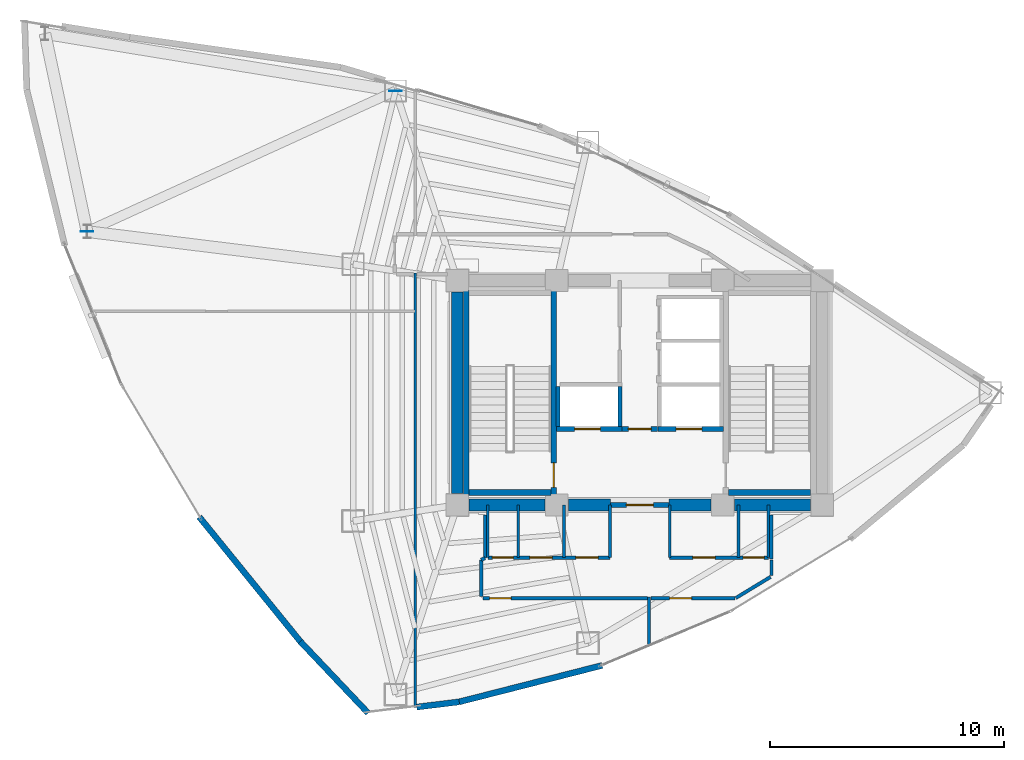
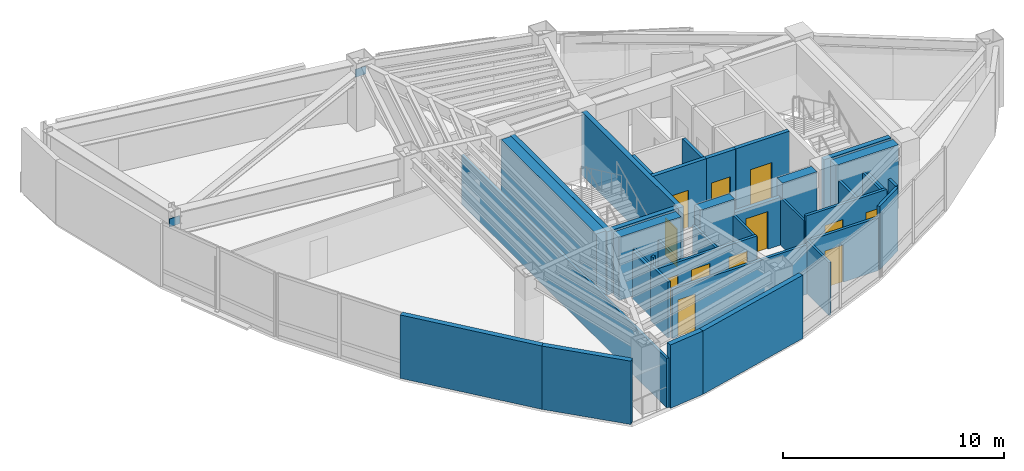
# One storey, part 12 of 16: 38 walls, 12 doors, 2 plates, 12 openings.
"""IFC4 building model written with IfcOpenShell, lengths in metres."""

import ifcopenshell
import ifcopenshell.guid

model = None  # the IFC model being written
_history = None  # IfcOwnerHistory: only IFC2X3 demands one
_inside = {}  # id of a spatial element -> (the spatial element, [elements in it])
_under = {}  # id of a project, library or spatial element -> (it, [spatial elements below it])
_declared = {}  # id of a project -> (the project, [libraries it declares])
_typed = {}  # id of a type object -> (the type object, [elements of that type])
_made_of = {}  # id of a material, layer set ... -> (it, [elements and type objects made of it])


def new_model(schema):
    """Start an empty IFC model of exactly this schema.

    Asked for "IFC4X3", IfcOpenShell would pick the latest addendum, in which some entities
    have other attributes; the version numbers below select the first issue.
    IFC2X3 requires an IfcOwnerHistory on every rooted entity: one is made here for all.
    """
    global model, _history
    if schema == "IFC4X3":
        model = ifcopenshell.file(schema_version=(4, 3, 0, 0))
    else:
        model = ifcopenshell.file(schema=schema)
    _inside.clear()
    _under.clear()
    _declared.clear()
    _typed.clear()
    _made_of.clear()
    _history = None
    if model.schema == "IFC2X3":
        org = make("IfcOrganization", Name="unknown")
        user = make(
            "IfcPersonAndOrganization",
            ThePerson=make("IfcPerson", FamilyName="unknown"),
            TheOrganization=org,
        )
        app = make(
            "IfcApplication",
            ApplicationDeveloper=org,
            Version="unknown",
            ApplicationFullName="unknown",
            ApplicationIdentifier="unknown",
        )
        _history = make(
            "IfcOwnerHistory",
            OwningUser=user,
            OwningApplication=app,
            ChangeAction="ADDED",
            CreationDate=0,
        )
    return model


def make(cls, **values):
    """One entity of the class cls with the attributes given. An attribute that is None is left unset."""
    return model.create_entity(
        cls, **{name: value for name, value in values.items() if value is not None}
    )


def rooted(cls, **values):
    """An entity with a GlobalId (a new one), such as an element, a storey or a relation."""
    return make(cls, GlobalId=ifcopenshell.guid.new(), OwnerHistory=_history, **values)


def si_unit(unit_type, name, prefix=None):
    """IfcSIUnit, for example si_unit("LENGTHUNIT", "METRE", prefix="MILLI")."""
    return make("IfcSIUnit", UnitType=unit_type, Prefix=prefix, Name=name)


def assignment(units):
    """IfcUnitAssignment: the units of a project."""
    return None if units is None else make("IfcUnitAssignment", Units=units)


def point(xyz):
    """IfcCartesianPoint."""
    return None if xyz is None else make("IfcCartesianPoint", Coordinates=xyz)


def direction(xyz):
    """IfcDirection."""
    return None if xyz is None else make("IfcDirection", DirectionRatios=xyz)


def frame(location, z_axis=None, x_axis=None):
    """IfcAxis2Placement3D, a coordinate frame: its origin and axes. An axis left out is left unset."""
    return make(
        "IfcAxis2Placement3D",
        Location=point(location),
        Axis=direction(z_axis),
        RefDirection=direction(x_axis),
    )


def frame_2d(location, x_axis=None):
    """IfcAxis2Placement2D, a coordinate frame in the plane: its origin and x axis."""
    return make(
        "IfcAxis2Placement2D", Location=point(location), RefDirection=direction(x_axis)
    )


def origin():
    """The frame at (0, 0, 0) with its axes left unset."""
    return frame((0.0, 0.0, 0.0))


def origin_2d():
    """The frame at (0, 0) in the plane with its x axis left unset."""
    return frame_2d((0.0, 0.0))


def place(relative_to, where):
    """IfcLocalPlacement: puts the frame where relative to a parent placement (None: the world)."""
    return make(
        "IfcLocalPlacement", PlacementRelTo=relative_to, RelativePlacement=where
    )


def context(
    kind, dimensions, precision=None, world=None, true_north=None, identifier=None
):
    """IfcGeometricRepresentationContext, for example the 3D "Model" context."""
    return make(
        "IfcGeometricRepresentationContext",
        ContextIdentifier=identifier,
        ContextType=kind,
        CoordinateSpaceDimension=dimensions,
        Precision=precision,
        WorldCoordinateSystem=world,
        TrueNorth=true_north,
    )


def subcontext(parent, identifier, kind, view, scale=None):
    """IfcGeometricRepresentationSubContext, for example "Body" below "Model"."""
    return make(
        "IfcGeometricRepresentationSubContext",
        ContextIdentifier=identifier,
        ContextType=kind,
        ParentContext=parent,
        TargetScale=scale,
        TargetView=view,
    )


def project(units=None, contexts=None):
    """IfcProject with its units and contexts."""
    return rooted(
        "IfcProject",
        Name="project",
        RepresentationContexts=contexts,
        UnitsInContext=assignment(units),
    )


def spatial(cls, under=None, at=None, **own):
    """A site, building, storey or space (cls), placed at a placement, below another one or the project."""
    s = rooted(cls, ObjectPlacement=at, **own)
    if under is not None:
        _under.setdefault(under.id(), (under, []))[1].append(s)
    return s


def profile(cls, at=None, kind="AREA", **sizes):
    """A parametric profile (cls). Its sizes go by their IFC names, for example OverallWidth=200.0."""
    return make(cls, ProfileType=kind, Position=at, **sizes)


def rectangle(**sizes):
    """IfcRectangleProfileDef."""
    return profile("IfcRectangleProfileDef", **sizes)


def extrude(swept, where, along, depth):
    """IfcExtrudedAreaSolid: the profile swept, set in the frame where, extruded along a direction by depth."""
    return make(
        "IfcExtrudedAreaSolid",
        SweptArea=swept,
        Position=where,
        ExtrudedDirection=direction(along),
        Depth=depth,
    )


def shape(context_of_items, identifier, shape_type, items):
    """IfcShapeRepresentation: the items that make up one representation, for example the "Body"."""
    return make(
        "IfcShapeRepresentation",
        ContextOfItems=context_of_items,
        RepresentationIdentifier=identifier,
        RepresentationType=shape_type,
        Items=items,
    )


def material(Name=None, Category=None):
    """IfcMaterial."""
    return make("IfcMaterial", Name=Name, Category=Category)


def layer(
    of_material, thickness, ventilated=None, Name=None, Category=None, Priority=None
):
    """IfcMaterialLayer: one layer of a wall or slab, of a material (None: an air gap)."""
    return make(
        "IfcMaterialLayer",
        Material=of_material,
        LayerThickness=thickness,
        IsVentilated=ventilated,
        Name=Name,
        Category=Category,
        Priority=Priority,
    )


def layer_set(layers, Name=None):
    """IfcMaterialLayerSet."""
    return make("IfcMaterialLayerSet", MaterialLayers=layers, LayerSetName=Name)


def made_of(thing, what):
    """Note that an element or type object is made of a material, layer set ...; save() writes the relation."""
    if what is not None:
        _made_of.setdefault(what.id(), (what, []))[1].append(thing)
    return thing


def type_object(cls, material=None, **own):
    """A type object (cls), such as IfcWallType, which elements share."""
    return made_of(rooted(cls, **own), material)


def element(
    cls,
    number,
    at=None,
    inside=None,
    cuts=None,
    type_object=None,
    material=None,
    context=None,
    identifier="Body",
    shape_type=None,
    held_by="IfcProductDefinitionShape",
    body=None,
    shapes=None,
    **own,
):
    """One element of the class cls, such as IfcWall. Its Tag is "e" and its number.

    at: its placement. inside: the storey or other place that contains it. cuts: it is an
    opening in that element (IfcRelVoidsElement). A single representation is given by context,
    identifier, shape_type and body (its items); several are given by shapes. held_by: the class
    of the entity that holds the representations. save() writes the other relations.
    """
    e = rooted(cls, Tag="e%d" % number, ObjectPlacement=at, **own)
    if body is not None:
        shapes = [shape(context, identifier, shape_type, body)]
    if shapes is not None:
        e.Representation = make(held_by, Representations=shapes)
    if inside is not None:
        _inside.setdefault(inside.id(), (inside, []))[1].append(e)
    if cuts is not None:
        rooted(
            "IfcRelVoidsElement", RelatingBuildingElement=cuts, RelatedOpeningElement=e
        )
    if type_object is not None:
        _typed.setdefault(type_object.id(), (type_object, []))[1].append(e)
    return made_of(e, material)


def fill(opening, filler):
    """IfcRelFillsElement: the door or window that sits in an opening."""
    return rooted(
        "IfcRelFillsElement",
        RelatingOpeningElement=opening,
        RelatedBuildingElement=filler,
    )


def aggregate(whole, parts):
    """IfcRelAggregates: a whole, such as a stair, and the parts it consists of."""
    return rooted("IfcRelAggregates", RelatingObject=whole, RelatedObjects=parts)


def save(model, path):
    """Write the relations noted so far, then the file.

    IfcRelAggregates (storeys below a building ...), IfcRelContainedInSpatialStructure (elements
    in a storey), IfcRelDefinesByType, IfcRelAssociatesMaterial and IfcRelDeclares: one each for
    every whole, place, type object, material and project.
    """
    for whole, parts in _under.values():
        aggregate(whole, parts)
    for where, things in _inside.values():
        rooted(
            "IfcRelContainedInSpatialStructure",
            RelatedElements=things,
            RelatingStructure=where,
        )
    for kind, things in _typed.values():
        rooted("IfcRelDefinesByType", RelatedObjects=things, RelatingType=kind)
    for what, things in _made_of.values():
        rooted("IfcRelAssociatesMaterial", RelatedObjects=things, RelatingMaterial=what)
    for by, libraries in _declared.values():
        rooted("IfcRelDeclares", RelatingContext=by, RelatedDefinitions=libraries)
    model.write(path)


model = new_model("IFC4")

# Units and contexts
model_context = context("Model", 3, precision=1e-05, world=origin(), true_north=direction((0.0, 1.0)))
body_context = subcontext(model_context, "Body", "Model", "MODEL_VIEW")
ifc_project = project(units=[si_unit("LENGTHUNIT", "METRE"), si_unit("AREAUNIT", "SQUARE_METRE"), si_unit("VOLUMEUNIT", "CUBIC_METRE"), si_unit("PLANEANGLEUNIT", "RADIAN"), si_unit("MASSUNIT", "GRAM", prefix="KILO")], contexts=[model_context])

# Site, building, storey
site_placement = place(None, origin())
site = spatial("IfcSite", under=ifc_project, at=site_placement, CompositionType="ELEMENT")
building_placement = place(site_placement, origin())
building = spatial("IfcBuilding", under=site, at=building_placement, Name="Menara Vayukalpa", CompositionType="ELEMENT")
storey_placement = place(building_placement, frame((0.0, 0.0, 198.9599609375)))
storey = spatial("IfcBuildingStorey", under=building, at=storey_placement, Name="L50", CompositionType="ELEMENT", Elevation=198.9599609375)

# Plates
ifc_material_1 = material(Name="Steel S355", Category="steel")
ifc_layer_1 = layer(ifc_material_1, 0.028076171875)
ifc_layer_set_1 = layer_set([ifc_layer_1], Name="Steel S355")
plate_type = type_object("IfcPlateType", Name="PLT-END1", PredefinedType="USERDEFINED", material=ifc_layer_set_1)
for number, where, z_axis, x_axis, name in (
    (1, (15.15478515625, 34.902587890625, 2.655029296875), (0.0, 0.0, 1.0), (1.0, 0.0, 0.0), "L50 Structural Brace End Gusset Plate 068"),
    (2, (1.96630859375, 28.889404296875, 2.655029296875), (0.0, 0.0, 1.0), (1.0, 0.0, 0.0), "L50 Structural Brace End Gusset Plate 069"),
):
    element("IfcPlate", number, at=place(storey_placement, frame(where, z_axis=z_axis, x_axis=x_axis)), inside=storey, type_object=plate_type, Name=name, ObjectType="GUSSET_PLATE", PredefinedType="USERDEFINED", context=body_context, shape_type="SweptSolid", body=[
        extrude(rectangle(XDim=0.5400390625, YDim=0.028076171875, at=origin_2d()), origin(), (0.0, 0.0, 1.0), 0.43994140625),
    ])

# Walls
ifc_material_2 = material(Name="Concrete C60/75", Category="concrete")
ifc_layer_2 = layer(ifc_material_2, 0.5)
ifc_layer_set_2 = layer_set([ifc_layer_2], Name="Concrete C60/75")
wall_type_1 = type_object("IfcWallType", Name="WAL-CW500", PredefinedType="SHEAR", material=ifc_layer_set_2)
wall_1_placement = place(storey_placement, frame((18.294921875, 17.199951171875, 0.0), z_axis=(0.0, 0.0, 1.0), x_axis=(1.0, 0.0, 0.0)))
element("IfcWall", 3, at=wall_1_placement, inside=storey, type_object=wall_type_1, Name="L50 Buttressed Core Shear Wall CWS1", PredefinedType="SHEAR", context=body_context, shape_type="SweptSolid", body=[
    extrude(rectangle(XDim=3.260009765625, YDim=0.5, at=frame_2d((1.6298828125, 0.0))), origin(), (0.0, 0.0, 1.0), 3.5),
])
wall_2_placement = place(storey_placement, frame((22.544921875, 17.199951171875, 0.0), z_axis=(0.0, 0.0, 1.0), x_axis=(1.0, 0.0, 0.0)))
element("IfcWall", 4, at=wall_2_placement, inside=storey, type_object=wall_type_1, Name="L50 Buttressed Core Shear Wall CWS2", PredefinedType="SHEAR", context=body_context, shape_type="SweptSolid", body=[
    extrude(rectangle(XDim=1.80517578125, YDim=0.5, at=frame_2d((0.902587890625, 0.0))), origin(), (0.0, 0.0, 1.0), 3.5),
])
wall_3_placement = place(storey_placement, frame((26.85009765625, 17.199951171875, 0.0), z_axis=(0.0, 0.0, 1.0), x_axis=(1.0, 0.0, 0.0)))
element("IfcWall", 5, at=wall_3_placement, inside=storey, type_object=wall_type_1, Name="L50 Buttressed Core Shear Wall CWS3", PredefinedType="SHEAR", context=body_context, shape_type="SweptSolid", body=[
    extrude(rectangle(XDim=1.804931640625, YDim=0.5, at=frame_2d((0.90234375, 0.0))), origin(), (0.0, 0.0, 1.0), 3.5),
])
wall_4_placement = place(storey_placement, frame((29.64501953125, 17.199951171875, 0.0), z_axis=(0.0, 0.0, 1.0), x_axis=(1.0, 0.0, 0.0)))
element("IfcWall", 6, at=wall_4_placement, inside=storey, type_object=wall_type_1, Name="L50 Buttressed Core Shear Wall CWS4", PredefinedType="SHEAR", context=body_context, shape_type="SweptSolid", body=[
    extrude(rectangle(XDim=3.260009765625, YDim=0.5, at=frame_2d((1.6298828125, 0.0))), origin(), (0.0, 0.0, 1.0), 3.5),
])
wall_5_placement = place(storey_placement, frame((17.800048828125, 17.695068359375, 0.0), z_axis=(0.0, 0.0, 1.0), x_axis=(0.0, 1.0, 0.0)))
element("IfcWall", 7, at=wall_5_placement, inside=storey, type_object=wall_type_1, Name="L50 Buttressed Core Shear Wall CWW1", PredefinedType="SHEAR", context=body_context, shape_type="SweptSolid", body=[
    extrude(rectangle(XDim=8.60986328125, YDim=0.5, at=frame_2d((4.304931640625, 0.0))), origin(), (0.0, 0.0, 1.0), 3.5),
])
ifc_material_3 = material(Name="Insulated Precast Concrete C40/50", Category="concrete")
ifc_layer_3 = layer(ifc_material_3, 0.260009765625)
ifc_layer_set_3 = layer_set([ifc_layer_3], Name="Insulated Precast Concrete C40/50")
wall_type_2 = type_object("IfcWallType", Name="WAL-EXT260", PredefinedType="PARTITIONING", material=ifc_layer_set_3)
wall_6_placement = place(storey_placement, frame((11.09228515625, 11.352783203125, 0.0), z_axis=(0.0, 0.0, 1.0), x_axis=(-0.630146833264, 0.77647599353, 0.0)))
element("IfcWall", 8, at=wall_6_placement, inside=storey, type_object=wall_type_2, Name="L50 Perimeter Terracotta Pier Wall 15", PredefinedType="PARTITIONING", context=body_context, shape_type="SweptSolid", body=[
    extrude(rectangle(XDim=6.8671875, YDim=0.260009765625, at=frame_2d((3.43359375, 0.0))), origin(), (0.0, 0.0, 1.0), 3.5),
])
wall_7_placement = place(storey_placement, frame((13.982177734375, 8.302978515625, 0.0), z_axis=(0.0, 0.0, 1.0), x_axis=(-0.687757504743, 0.725940503533, 0.0)))
element("IfcWall", 9, at=wall_7_placement, inside=storey, type_object=wall_type_2, Name="L50 Perimeter Terracotta Pier Wall 16", PredefinedType="PARTITIONING", context=body_context, shape_type="SweptSolid", body=[
    extrude(rectangle(XDim=4.213623046875, YDim=0.260009765625, at=frame_2d((2.10693359375, 0.0))), origin(), (0.0, 0.0, 1.0), 3.5),
])
wall_8_placement = place(storey_placement, frame((17.881591796875, 8.779296875, 0.0), z_axis=(0.0, 0.0, 1.0), x_axis=(-0.992628301661, -0.121198410642, 0.0)))
element("IfcWall", 10, at=wall_8_placement, inside=storey, type_object=wall_type_2, Name="L50 Perimeter Terracotta Pier Wall 17", PredefinedType="PARTITIONING", context=body_context, shape_type="SweptSolid", body=[
    extrude(rectangle(XDim=1.8330078125, YDim=0.260009765625, at=frame_2d((0.91650390625, 0.0))), origin(), (0.0, 0.0, 1.0), 3.5),
])
wall_9_placement = place(storey_placement, frame((23.9951171875, 10.338623046875, 0.0), z_axis=(0.0, 0.0, 1.0), x_axis=(-0.968977477196, -0.247149041446, 0.0)))
element("IfcWall", 11, at=wall_9_placement, inside=storey, type_object=wall_type_2, Name="L50 Perimeter Terracotta Pier Wall 18", PredefinedType="PARTITIONING", context=body_context, shape_type="SweptSolid", body=[
    extrude(rectangle(XDim=6.309326171875, YDim=0.260009765625, at=frame_2d((3.15478515625, 0.0))), origin(), (0.0, 0.0, 1.0), 3.5),
])
ifc_material_4 = material(Name="Lightweight Concrete Blockwork C16/20", Category="masonry")
ifc_layer_4 = layer(ifc_material_4, 0.159912109375)
ifc_layer_set_4 = layer_set([ifc_layer_4], Name="Lightweight Concrete Blockwork C16/20")
wall_type_3 = type_object("IfcWallType", Name="WAL-FR150", PredefinedType="PARTITIONING", material=ifc_layer_set_4)
for number, where, z_axis, x_axis, name in (
    (12, (22.10498046875, 20.56005859375, 0.0), (0.0, 0.0, 1.0), (0.0, 1.0, 0.0), "L50 Interior Partition IW-L50-SHW-WW"),
    (13, (24.7548828125, 20.56005859375, 0.0), (0.0, 0.0, 1.0), (0.0, 1.0, 0.0), "L50 Interior Partition IW-L50-SHW-W1E"),
):
    element("IfcWall", number, at=place(storey_placement, frame(where, z_axis=z_axis, x_axis=x_axis)), inside=storey, type_object=wall_type_3, Name=name, PredefinedType="PARTITIONING", context=body_context, shape_type="SweptSolid", body=[
        extrude(rectangle(XDim=1.7099609375, YDim=0.159912109375, at=frame_2d((0.85498046875, 0.0))), origin(), (0.0, 0.0, 1.0), 3.5),
    ])

# Wall, opening, door
ifc_material_5 = material(Name="Lightweight Concrete Blockwork C16/20", Category="masonry")
ifc_layer_5 = layer(ifc_material_5, 0.199951171875)
ifc_layer_set_5 = layer_set([ifc_layer_5], Name="Lightweight Concrete Blockwork C16/20")
wall_type_4 = type_object("IfcWallType", Name="WAL-FR200", PredefinedType="PARTITIONING", material=ifc_layer_set_5)
wall_10_placement = place(storey_placement, frame((24.35009765625, 17.199951171875, 0.0), z_axis=(0.0, 0.0, 1.0), x_axis=(1.0, 0.0, 0.0)))
wall_10 = element("IfcWall", 14, at=wall_10_placement, inside=storey, type_object=wall_type_4, Name="L50 Interior Partition IW-L50-FFLS", PredefinedType="PARTITIONING", context=body_context, shape_type="SweptSolid", body=[
    extrude(rectangle(XDim=2.5, YDim=0.199951171875, at=frame_2d((1.25, 0.0))), origin(), (0.0, 0.0, 1.0), 2.630126953125),
])
opening_1_placement = place(wall_10_placement, frame((0.679931640625, 0.0, 0.0)))
opening_1 = element("IfcOpeningElement", 15, at=opening_1_placement, cuts=wall_10, Name="Opening ID2", PredefinedType="OPENING", context=body_context, shape_type="SweptSolid", body=[
    extrude(rectangle(XDim=1.14990234375, YDim=2.080078125, at=frame_2d((0.574951171875, 1.0400390625))), frame((0.0, 0.10986328125, 0.0), z_axis=(0.0, -1.0, 0.0), x_axis=(1.0, 0.0, 0.0)), (0.0, 0.0, 1.0), 0.219970703125),
])
ifc_material_6 = material(Name="Fire-Rated Powder-Coated Steel Door", Category="steel")
door_type_1 = type_object("IfcDoorType", Name="DR-FD60W", OperationType="NOTDEFINED", PredefinedType="DOOR", material=ifc_material_6)
door_1_placement = place(opening_1_placement, origin())
door_1 = element("IfcDoor", 16, at=door_1_placement, inside=storey, type_object=door_type_1, Name="L50 Interior Door DR-L50-FFLS", OperationType="SINGLE_SWING_LEFT", OverallHeight=2.080078125, OverallWidth=1.14990234375, PredefinedType="DOOR", context=body_context, shape_type="SweptSolid", body=[
    extrude(rectangle(XDim=1.14990234375, YDim=2.080078125, at=frame_2d((0.574951171875, 1.0400390625))), frame((0.0, 0.02490234375, 0.0), z_axis=(0.0, -1.0, 0.0), x_axis=(1.0, 0.0, 0.0)), (0.0, 0.0, 1.0), 0.050048828125),
])
fill(opening_1, door_1)

wall_11_placement = place(storey_placement, frame((24.840087890625, 20.449951171875, 0.0), z_axis=(0.0, 0.0, 1.0), x_axis=(1.0, 0.0, 0.0)))
wall_11 = element("IfcWall", 17, at=wall_11_placement, inside=storey, type_object=wall_type_4, Name="L50 Interior Partition IW-L50-FFLN", PredefinedType="PARTITIONING", context=body_context, shape_type="SweptSolid", body=[
    extrude(rectangle(XDim=1.52001953125, YDim=0.199951171875, at=frame_2d((0.760009765625, 0.0))), origin(), (0.0, 0.0, 1.0), 3.5),
])
opening_2_placement = place(wall_11_placement, frame((0.27001953125, 0.0, 0.0)))
opening_2 = element("IfcOpeningElement", 18, at=opening_2_placement, cuts=wall_11, Name="Opening ID3", PredefinedType="OPENING", context=body_context, shape_type="SweptSolid", body=[
    extrude(rectangle(XDim=0.97998046875, YDim=2.06005859375, at=frame_2d((0.489990234375, 1.030029296875))), frame((0.0, 0.10986328125, 0.0), z_axis=(0.0, -1.0, 0.0), x_axis=(1.0, 0.0, 0.0)), (0.0, 0.0, 1.0), 0.219970703125),
])
ifc_material_7 = material(Name="Fire-Rated Powder-Coated Steel Door", Category="steel")
door_type_2 = type_object("IfcDoorType", Name="DR-FD60", OperationType="NOTDEFINED", PredefinedType="DOOR", material=ifc_material_7)
door_2_placement = place(opening_2_placement, origin())
door_2 = element("IfcDoor", 19, at=door_2_placement, inside=storey, type_object=door_type_2, Name="L50 Interior Door DR-L50-FFLN", OperationType="SINGLE_SWING_RIGHT", OverallHeight=2.06005859375, OverallWidth=0.97998046875, PredefinedType="DOOR", context=body_context, shape_type="SweptSolid", body=[
    extrude(rectangle(XDim=0.97998046875, YDim=2.06005859375, at=frame_2d((0.489990234375, 1.030029296875))), frame((0.0, 0.02490234375, 0.0), z_axis=(0.0, -1.0, 0.0), x_axis=(1.0, 0.0, 0.0)), (0.0, 0.0, 1.0), 0.050048828125),
])
fill(opening_2, door_2)

wall_12_placement = place(storey_placement, frame((22.030029296875, 20.449951171875, 0.0), z_axis=(0.0, 0.0, 1.0), x_axis=(1.0, 0.0, 0.0)))
wall_12 = element("IfcWall", 20, at=wall_12_placement, inside=storey, type_object=wall_type_4, Name="L50 Interior Partition IW-L50-SH-W1", PredefinedType="PARTITIONING", context=body_context, shape_type="SweptSolid", body=[
    extrude(rectangle(XDim=2.800048828125, YDim=0.199951171875, at=frame_2d((1.39990234375, 0.0))), origin(), (0.0, 0.0, 1.0), 3.5),
])
opening_3_placement = place(wall_12_placement, frame((0.780029296875, 0.0, 0.0)))
opening_3 = element("IfcOpeningElement", 21, at=opening_3_placement, cuts=wall_12, Name="Opening LD1", PredefinedType="OPENING", context=body_context, shape_type="SweptSolid", body=[
    extrude(rectangle(XDim=1.10009765625, YDim=2.080078125, at=frame_2d((0.550048828125, 1.0400390625))), frame((0.0, 0.10986328125, 0.0), z_axis=(0.0, -1.0, 0.0), x_axis=(1.0, 0.0, 0.0)), (0.0, 0.0, 1.0), 0.219970703125),
])
ifc_material_8 = material(Name="Brushed Stainless Steel 316 Lift Door", Category="steel")
door_type_3 = type_object("IfcDoorType", Name="DR-LD110", OperationType="NOTDEFINED", PredefinedType="DOOR", material=ifc_material_8)
door_3_placement = place(opening_3_placement, origin())
door_3 = element("IfcDoor", 22, at=door_3_placement, inside=storey, type_object=door_type_3, Name="L50 Interior Door DR-L50-LD-W1", OperationType="DOUBLE_DOOR_SLIDING", OverallHeight=2.080078125, OverallWidth=1.10009765625, PredefinedType="DOOR", context=body_context, shape_type="SweptSolid", body=[
    extrude(rectangle(XDim=1.10009765625, YDim=2.080078125, at=frame_2d((0.550048828125, 1.0400390625))), frame((0.0, 0.02490234375, 0.0), z_axis=(0.0, -1.0, 0.0), x_axis=(1.0, 0.0, 0.0)), (0.0, 0.0, 1.0), 0.050048828125),
])
fill(opening_3, door_3)

wall_13_placement = place(storey_placement, frame((26.3701171875, 20.449951171875, 0.0), z_axis=(0.0, 0.0, 1.0), x_axis=(1.0, 0.0, 0.0)))
wall_13 = element("IfcWall", 23, at=wall_13_placement, inside=storey, type_object=wall_type_4, Name="L50 Interior Partition IW-L50-SH-E1", PredefinedType="PARTITIONING", context=body_context, shape_type="SweptSolid", body=[
    extrude(rectangle(XDim=2.7998046875, YDim=0.199951171875, at=frame_2d((1.39990234375, 0.0))), origin(), (0.0, 0.0, 1.0), 3.5),
])
opening_4_placement = place(wall_13_placement, frame((0.780029296875, 0.0, 0.0)))
opening_4 = element("IfcOpeningElement", 24, at=opening_4_placement, cuts=wall_13, Name="Opening LD1", PredefinedType="OPENING", context=body_context, shape_type="SweptSolid", body=[
    extrude(rectangle(XDim=1.10009765625, YDim=2.080078125, at=frame_2d((0.550048828125, 1.0400390625))), frame((0.0, 0.10986328125, 0.0), z_axis=(0.0, -1.0, 0.0), x_axis=(1.0, 0.0, 0.0)), (0.0, 0.0, 1.0), 0.219970703125),
])
door_4_placement = place(opening_4_placement, origin())
door_4 = element("IfcDoor", 25, at=door_4_placement, inside=storey, type_object=door_type_3, Name="L50 Interior Door DR-L50-LD-E1", OperationType="DOUBLE_DOOR_SLIDING", OverallHeight=2.080078125, OverallWidth=1.10009765625, PredefinedType="DOOR", context=body_context, shape_type="SweptSolid", body=[
    extrude(rectangle(XDim=1.10009765625, YDim=2.080078125, at=frame_2d((0.550048828125, 1.0400390625))), frame((0.0, 0.02490234375, 0.0), z_axis=(0.0, -1.0, 0.0), x_axis=(1.0, 0.0, 0.0)), (0.0, 0.0, 1.0), 0.050048828125),
])
fill(opening_4, door_4)

# Walls
ifc_material_9 = material(Name="Acoustic Mineral Stud Partition", Category="masonry")
ifc_layer_6 = layer(ifc_material_9, 0.110107421875)
ifc_layer_set_6 = layer_set([ifc_layer_6], Name="Acoustic Mineral Stud Partition")
wall_type_5 = type_object("IfcWallType", Name="WAL-PT110", PredefinedType="PARTITIONING", material=ifc_layer_set_6)
for number, where, z_axis, x_axis, name in (
    (26, (20.39990234375, 14.949951171875, 0.0), (0.0, 0.0, 1.0), (0.0, 1.0, 0.0), "L50 Interior Partition IW-L50-SVCD-02"),
    (27, (26.8798828125, 14.949951171875, 0.0), (0.0, 0.0, 1.0), (0.0, 1.0, 0.0), "L50 Interior Partition IW-L50-SVCD-05"),
):
    element("IfcWall", number, at=place(storey_placement, frame(where, z_axis=z_axis, x_axis=x_axis)), inside=storey, type_object=wall_type_5, Name=name, PredefinedType="PARTITIONING", context=body_context, shape_type="SweptSolid", body=[
        extrude(rectangle(XDim=2.25, YDim=0.110107421875, at=frame_2d((1.125, 0.0))), origin(), (0.0, 0.0, 1.0), 2.630126953125),
    ])
ifc_material_10 = material(Name="Gypsum Drywall Steel Stud Assembly", Category="steel")
ifc_layer_7 = layer(ifc_material_10, 0.125)
ifc_layer_set_7 = layer_set([ifc_layer_7], Name="Gypsum Drywall Steel Stud Assembly")
wall_type_6 = type_object("IfcWallType", Name="WAL-PT125", PredefinedType="PARTITIONING", material=ifc_layer_set_7)
for number, where, z_axis, x_axis, name in (
    (28, (19.10009765625, 14.949951171875, 0.0), (0.0, 0.0, 1.0), (0.0, 1.0, 0.0), "L50 Interior Partition IW-L50-SVCD-01"),
    (29, (22.360107421875, 14.949951171875, 0.0), (0.0, 0.0, 1.0), (0.0, 1.0, 0.0), "L50 Interior Partition IW-L50-SVCD-03"),
    (30, (24.320068359375, 14.949951171875, 0.0), (0.0, 0.0, 1.0), (0.0, 1.0, 0.0), "L50 Interior Partition IW-L50-SVCD-04"),
    (31, (29.830078125, 14.949951171875, 0.0), (0.0, 0.0, 1.0), (0.0, 1.0, 0.0), "L50 Interior Partition IW-L50-SVCD-06"),
    (32, (31.10009765625, 14.949951171875, 0.0), (0.0, 0.0, 1.0), (0.0, 1.0, 0.0), "L50 Interior Partition IW-L50-SVCD-07"),
):
    element("IfcWall", number, at=place(storey_placement, frame(where, z_axis=z_axis, x_axis=x_axis)), inside=storey, type_object=wall_type_6, Name=name, PredefinedType="PARTITIONING", context=body_context, shape_type="SweptSolid", body=[
        extrude(rectangle(XDim=2.25, YDim=0.125, at=frame_2d((1.125, 0.0))), origin(), (0.0, 0.0, 1.0), 2.630126953125),
    ])
wall_14_placement = place(storey_placement, frame((16.0, 8.539306640625, 0.0), z_axis=(0.0, 0.0, 1.0), x_axis=(0.0, 1.0, 0.0)))
element("IfcWall", 33, at=wall_14_placement, inside=storey, type_object=wall_type_6, Name="L50 Interior Partition IW-L50-RDIV01", PredefinedType="PARTITIONING", context=body_context, shape_type="SweptSolid", body=[
    extrude(rectangle(XDim=18.57080078125, YDim=0.125, at=frame_2d((9.285400390625, 0.0))), origin(), (0.0, 0.0, 1.0), 2.72998046875),
])
wall_15_placement = place(storey_placement, frame((26.0, 11.183837890625, 0.0), z_axis=(0.0, 0.0, 1.0), x_axis=(0.0, 1.0, 0.0)))
element("IfcWall", 34, at=wall_15_placement, inside=storey, type_object=wall_type_6, Name="L50 Interior Partition IW-L50-RDIV03", PredefinedType="PARTITIONING", context=body_context, shape_type="SweptSolid", body=[
    extrude(rectangle(XDim=2.076171875, YDim=0.125, at=frame_2d((1.0380859375, 0.0))), origin(), (0.0, 0.0, 1.0), 2.929931640625),
])

# Wall, openings, doors
ifc_material_11 = material(Name="Gypsum Drywall Acoustic Stud Assembly", Category="masonry")
ifc_layer_8 = layer(ifc_material_11, 0.14501953125)
ifc_layer_set_8 = layer_set([ifc_layer_8], Name="Gypsum Drywall Acoustic Stud Assembly")
wall_type_7 = type_object("IfcWallType", Name="WAL-PT150", PredefinedType="PARTITIONING", material=ifc_layer_set_8)
wall_16_placement = place(storey_placement, frame((19.10009765625, 14.949951171875, 0.0), z_axis=(0.0, 0.0, 1.0), x_axis=(1.0, 0.0, 0.0)))
wall_16 = element("IfcWall", 35, at=wall_16_placement, inside=storey, type_object=wall_type_7, Name="L50 Interior Partition IW-L50-SVCS-W", PredefinedType="PARTITIONING", context=body_context, shape_type="SweptSolid", body=[
    extrude(rectangle(XDim=5.219970703125, YDim=0.14501953125, at=frame_2d((2.60986328125, 0.0))), origin(), (0.0, 0.0, 1.0), 2.72998046875),
])
opening_5_placement = place(wall_16_placement, frame((0.199951171875, 0.0, 0.0)))
opening_5 = element("IfcOpeningElement", 36, at=opening_5_placement, cuts=wall_16, Name="Opening ID7", PredefinedType="OPENING", context=body_context, shape_type="SweptSolid", body=[
    extrude(rectangle(XDim=0.89990234375, YDim=2.02001953125, at=frame_2d((0.449951171875, 1.010009765625))), frame((0.0, 0.08251953125, 0.0), z_axis=(0.0, -1.0, 0.0), x_axis=(1.0, 0.0, 0.0)), (0.0, 0.0, 1.0), 0.1650390625),
])
opening_6_placement = place(wall_16_placement, frame((1.804931640625, 0.0, 0.0)))
opening_6 = element("IfcOpeningElement", 37, at=opening_6_placement, cuts=wall_16, Name="Opening ID5", PredefinedType="OPENING", context=body_context, shape_type="SweptSolid", body=[
    extrude(rectangle(XDim=0.949951171875, YDim=2.06005859375, at=frame_2d((0.47509765625, 1.030029296875))), frame((0.0, 0.08251953125, 0.0), z_axis=(0.0, -1.0, 0.0), x_axis=(1.0, 0.0, 0.0)), (0.0, 0.0, 1.0), 0.1650390625),
])
opening_7_placement = place(wall_16_placement, frame((3.764892578125, 0.0, 0.0)))
opening_7 = element("IfcOpeningElement", 38, at=opening_7_placement, cuts=wall_16, Name="Opening ID5", PredefinedType="OPENING", context=body_context, shape_type="SweptSolid", body=[
    extrude(rectangle(XDim=0.949951171875, YDim=2.06005859375, at=frame_2d((0.47509765625, 1.030029296875))), frame((0.0, 0.08251953125, 0.0), z_axis=(0.0, -1.0, 0.0), x_axis=(1.0, 0.0, 0.0)), (0.0, 0.0, 1.0), 0.1650390625),
])
ifc_material_12 = material(Name="Acoustic Hardwood Veneer Timber Door", Category="wood")
door_type_4 = type_object("IfcDoorType", Name="DR-INT95", OperationType="NOTDEFINED", PredefinedType="DOOR", material=ifc_material_12)
door_5_placement = place(opening_6_placement, origin())
door_5 = element("IfcDoor", 39, at=door_5_placement, inside=storey, type_object=door_type_4, Name="L50 Interior Door DR-L50-AWC", OperationType="SINGLE_SWING_LEFT", OverallHeight=2.06005859375, OverallWidth=0.949951171875, PredefinedType="DOOR", context=body_context, shape_type="SweptSolid", body=[
    extrude(rectangle(XDim=0.949951171875, YDim=2.06005859375, at=frame_2d((0.47509765625, 1.030029296875))), frame((0.0, 0.02490234375, 0.0), z_axis=(0.0, -1.0, 0.0), x_axis=(1.0, 0.0, 0.0)), (0.0, 0.0, 1.0), 0.050048828125),
])
fill(opening_6, door_5)
door_6_placement = place(opening_7_placement, origin())
door_6 = element("IfcDoor", 40, at=door_6_placement, inside=storey, type_object=door_type_4, Name="L50 Interior Door DR-L50-SWC", OperationType="SINGLE_SWING_RIGHT", OverallHeight=2.06005859375, OverallWidth=0.949951171875, PredefinedType="DOOR", context=body_context, shape_type="SweptSolid", body=[
    extrude(rectangle(XDim=0.949951171875, YDim=2.06005859375, at=frame_2d((0.47509765625, 1.030029296875))), frame((0.0, 0.02490234375, 0.0), z_axis=(0.0, -1.0, 0.0), x_axis=(1.0, 0.0, 0.0)), (0.0, 0.0, 1.0), 0.050048828125),
])
fill(opening_7, door_6)
ifc_material_13 = material(Name="Powder-Coated Steel Riser Access Door", Category="steel")
door_type_5 = type_object("IfcDoorType", Name="DR-RISER", OperationType="NOTDEFINED", PredefinedType="DOOR", material=ifc_material_13)
door_7_placement = place(opening_5_placement, origin())
door_7 = element("IfcDoor", 41, at=door_7_placement, inside=storey, type_object=door_type_5, Name="L50 Interior Door DR-L50-ELR", OperationType="SINGLE_SWING_RIGHT", OverallHeight=2.02001953125, OverallWidth=0.89990234375, PredefinedType="DOOR", context=body_context, shape_type="SweptSolid", body=[
    extrude(rectangle(XDim=0.89990234375, YDim=2.02001953125, at=frame_2d((0.449951171875, 1.010009765625))), frame((0.0, 0.02490234375, 0.0), z_axis=(0.0, -1.0, 0.0), x_axis=(1.0, 0.0, 0.0)), (0.0, 0.0, 1.0), 0.050048828125),
])
fill(opening_5, door_7)

wall_17_placement = place(storey_placement, frame((26.8798828125, 14.949951171875, 0.0), z_axis=(0.0, 0.0, 1.0), x_axis=(1.0, 0.0, 0.0)))
wall_17 = element("IfcWall", 42, at=wall_17_placement, inside=storey, type_object=wall_type_7, Name="L50 Interior Partition IW-L50-SVCS-E", PredefinedType="PARTITIONING", context=body_context, shape_type="SweptSolid", body=[
    extrude(rectangle(XDim=4.22021484375, YDim=0.14501953125, at=frame_2d((2.110107421875, 0.0))), origin(), (0.0, 0.0, 1.0), 2.929931640625),
])
opening_8_placement = place(wall_17_placement, frame((0.9951171875, 0.0, 0.0)))
opening_8 = element("IfcOpeningElement", 43, at=opening_8_placement, cuts=wall_17, Name="Opening ID5", PredefinedType="OPENING", context=body_context, shape_type="SweptSolid", body=[
    extrude(rectangle(XDim=0.949951171875, YDim=2.06005859375, at=frame_2d((0.47509765625, 1.030029296875))), frame((0.0, 0.08251953125, 0.0), z_axis=(0.0, -1.0, 0.0), x_axis=(1.0, 0.0, 0.0)), (0.0, 0.0, 1.0), 0.1650390625),
])
opening_9_placement = place(wall_17_placement, frame((3.139892578125, 0.0, 0.0)))
opening_9 = element("IfcOpeningElement", 44, at=opening_9_placement, cuts=wall_17, Name="Opening ID7", PredefinedType="OPENING", context=body_context, shape_type="SweptSolid", body=[
    extrude(rectangle(XDim=0.89990234375, YDim=2.02001953125, at=frame_2d((0.449951171875, 1.010009765625))), frame((0.0, 0.08251953125, 0.0), z_axis=(0.0, -1.0, 0.0), x_axis=(1.0, 0.0, 0.0)), (0.0, 0.0, 1.0), 0.1650390625),
])
door_8_placement = place(opening_8_placement, origin())
door_8 = element("IfcDoor", 45, at=door_8_placement, inside=storey, type_object=door_type_4, Name="L50 Interior Door DR-L50-KSV1", OperationType="SINGLE_SWING_LEFT", OverallHeight=2.06005859375, OverallWidth=0.949951171875, PredefinedType="DOOR", context=body_context, shape_type="SweptSolid", body=[
    extrude(rectangle(XDim=0.949951171875, YDim=2.06005859375, at=frame_2d((0.47509765625, 1.030029296875))), frame((0.0, 0.02490234375, 0.0), z_axis=(0.0, -1.0, 0.0), x_axis=(1.0, 0.0, 0.0)), (0.0, 0.0, 1.0), 0.050048828125),
])
fill(opening_8, door_8)
door_9_placement = place(opening_9_placement, origin())
door_9 = element("IfcDoor", 46, at=door_9_placement, inside=storey, type_object=door_type_5, Name="L50 Interior Door DR-L50-SMD", OperationType="SINGLE_SWING_RIGHT", OverallHeight=2.02001953125, OverallWidth=0.89990234375, PredefinedType="DOOR", context=body_context, shape_type="SweptSolid", body=[
    extrude(rectangle(XDim=0.89990234375, YDim=2.02001953125, at=frame_2d((0.449951171875, 1.010009765625))), frame((0.0, 0.02490234375, 0.0), z_axis=(0.0, -1.0, 0.0), x_axis=(1.0, 0.0, 0.0)), (0.0, 0.0, 1.0), 0.050048828125),
])
fill(opening_9, door_9)

# Walls
wall_18_placement = place(storey_placement, frame((18.97998046875, 16.780029296875, 0.0), z_axis=(0.0, 0.0, 1.0), x_axis=(0.0, -1.0, 0.0)))
element("IfcWall", 47, at=wall_18_placement, inside=storey, type_object=wall_type_7, Name="L50 Interior Partition IW-L50-CRM02-2", PredefinedType="PARTITIONING", context=body_context, shape_type="SweptSolid", body=[
    extrude(rectangle(XDim=1.85009765625, YDim=0.14501953125, at=frame_2d((0.925048828125, 0.0))), origin(), (0.0, 0.0, 1.0), 2.630126953125),
])
wall_19_placement = place(storey_placement, frame((18.820068359375, 14.85009765625, 0.0), z_axis=(0.0, 0.0, 1.0), x_axis=(0.0, -1.0, 0.0)))
element("IfcWall", 48, at=wall_19_placement, inside=storey, type_object=wall_type_7, Name="L50 Interior Partition IW-L50-CRM02-3", PredefinedType="PARTITIONING", context=body_context, shape_type="SweptSolid", body=[
    extrude(rectangle(XDim=1.56005859375, YDim=0.14501953125, at=frame_2d((0.780029296875, 0.0))), origin(), (0.0, 0.0, 1.0), 3.080078125),
])

# Wall, opening, door
wall_20_placement = place(storey_placement, frame((18.89990234375, 13.2099609375, 0.0), z_axis=(0.0, 0.0, 1.0), x_axis=(1.0, 0.0, 0.0)))
wall_20 = element("IfcWall", 49, at=wall_20_placement, inside=storey, type_object=wall_type_7, Name="L50 Interior Partition IW-L50-CRM02-4", PredefinedType="PARTITIONING", context=body_context, shape_type="SweptSolid", body=[
    extrude(rectangle(XDim=7.030029296875, YDim=0.14501953125, at=frame_2d((3.51513671875, 0.0))), origin(), (0.0, 0.0, 1.0), 2.72998046875),
])
opening_10_placement = place(wall_20_placement, frame((0.280029296875, 0.0, 0.0)))
opening_10 = element("IfcOpeningElement", 50, at=opening_10_placement, cuts=wall_20, Name="Opening ID6", PredefinedType="OPENING", context=body_context, shape_type="SweptSolid", body=[
    extrude(rectangle(XDim=0.919921875, YDim=2.050048828125, at=frame_2d((0.4599609375, 1.02490234375))), frame((0.0, 0.08251953125, 0.0), z_axis=(0.0, -1.0, 0.0), x_axis=(1.0, 0.0, 0.0)), (0.0, 0.0, 1.0), 0.1650390625),
])
ifc_material_14 = material(Name="Acoustic Hardwood Veneer Timber Door", Category="wood")
door_type_6 = type_object("IfcDoorType", Name="DR-INT92", OperationType="NOTDEFINED", PredefinedType="DOOR", material=ifc_material_14)
door_10_placement = place(opening_10_placement, origin())
door_10 = element("IfcDoor", 51, at=door_10_placement, inside=storey, type_object=door_type_6, Name="L50 Interior Door DR-L50-RM02", OperationType="SINGLE_SWING_LEFT", OverallHeight=2.050048828125, OverallWidth=0.919921875, PredefinedType="DOOR", context=body_context, shape_type="SweptSolid", body=[
    extrude(rectangle(XDim=0.919921875, YDim=2.050048828125, at=frame_2d((0.4599609375, 1.02490234375))), frame((0.0, 0.02490234375, 0.0), z_axis=(0.0, -1.0, 0.0), x_axis=(1.0, 0.0, 0.0)), (0.0, 0.0, 1.0), 0.050048828125),
])
fill(opening_10, door_10)

wall_21_placement = place(storey_placement, frame((26.070068359375, 13.2099609375, 0.0), z_axis=(0.0, 0.0, 1.0), x_axis=(1.0, 0.0, 0.0)))
wall_21 = element("IfcWall", 52, at=wall_21_placement, inside=storey, type_object=wall_type_7, Name="L50 Interior Partition IW-L50-CRM03-1", PredefinedType="PARTITIONING", context=body_context, shape_type="SweptSolid", body=[
    extrude(rectangle(XDim=3.597412109375, YDim=0.14501953125, at=frame_2d((1.798828125, 0.0))), origin(), (0.0, 0.0, 1.0), 2.929931640625),
])
opening_11_placement = place(wall_21_placement, frame((0.802001953125, 0.0, 0.0)))
opening_11 = element("IfcOpeningElement", 53, at=opening_11_placement, cuts=wall_21, Name="Opening ID5", PredefinedType="OPENING", context=body_context, shape_type="SweptSolid", body=[
    extrude(rectangle(XDim=0.949951171875, YDim=2.06005859375, at=frame_2d((0.47509765625, 1.030029296875))), frame((0.0, 0.08251953125, 0.0), z_axis=(0.0, -1.0, 0.0), x_axis=(1.0, 0.0, 0.0)), (0.0, 0.0, 1.0), 0.1650390625),
])
door_11_placement = place(opening_11_placement, origin())
door_11 = element("IfcDoor", 54, at=door_11_placement, inside=storey, type_object=door_type_4, Name="L50 Interior Door DR-L50-RM03", OperationType="SINGLE_SWING_RIGHT", OverallHeight=2.06005859375, OverallWidth=0.949951171875, PredefinedType="DOOR", context=body_context, shape_type="SweptSolid", body=[
    extrude(rectangle(XDim=0.949951171875, YDim=2.06005859375, at=frame_2d((0.47509765625, 1.030029296875))), frame((0.0, 0.02490234375, 0.0), z_axis=(0.0, -1.0, 0.0), x_axis=(1.0, 0.0, 0.0)), (0.0, 0.0, 1.0), 0.050048828125),
])
fill(opening_11, door_11)

# Walls
wall_22_placement = place(storey_placement, frame((29.708984375, 13.2216796875, 0.0), z_axis=(0.0, 0.0, 1.0), x_axis=(0.854635840942, 0.519227868451, 0.0)))
element("IfcWall", 55, at=wall_22_placement, inside=storey, type_object=wall_type_7, Name="L50 Interior Partition IW-L50-CRM03-2", PredefinedType="PARTITIONING", context=body_context, shape_type="SweptSolid", body=[
    extrude(rectangle(XDim=1.734619140625, YDim=0.14501953125, at=frame_2d((0.8671875, 0.0))), origin(), (0.0, 0.0, 1.0), 3.5),
])
wall_23_placement = place(storey_placement, frame((31.22998046875, 14.190673828125, 0.0), z_axis=(0.0, 0.0, 1.0), x_axis=(0.0, 1.0, 0.0)))
element("IfcWall", 56, at=wall_23_placement, inside=storey, type_object=wall_type_7, Name="L50 Interior Partition IW-L50-CRM03-3", PredefinedType="PARTITIONING", context=body_context, shape_type="SweptSolid", body=[
    extrude(rectangle(XDim=0.659423828125, YDim=0.14501953125, at=frame_2d((0.32958984375, 0.0))), origin(), (0.0, 0.0, 1.0), 3.5),
])
wall_24_placement = place(storey_placement, frame((31.219970703125, 14.888671875, 0.0), z_axis=(0.0, 0.0, 1.0), x_axis=(0.0, 1.0, 0.0)))
element("IfcWall", 57, at=wall_24_placement, inside=storey, type_object=wall_type_7, Name="L50 Interior Partition IW-L50-CRM03-4", PredefinedType="PARTITIONING", context=body_context, shape_type="SweptSolid", body=[
    extrude(rectangle(XDim=1.891357421875, YDim=0.14501953125, at=frame_2d((0.94580078125, 0.0))), origin(), (0.0, 0.0, 1.0), 2.630126953125),
])
wall_25_placement = place(storey_placement, frame((18.820068359375, 14.85009765625, 0.0), z_axis=(0.0, 0.0, 1.0), x_axis=(0.89470021502, 0.446667130247, 0.0)))
element("IfcWall", 58, at=wall_25_placement, inside=storey, type_object=wall_type_7, Name="L50 Interior Partition IW-L50-CRM02-3-R0", PredefinedType="PARTITIONING", context=body_context, shape_type="SweptSolid", body=[
    extrude(rectangle(XDim=0.1787109375, YDim=0.14501953125, at=frame_2d((0.08935546875, 0.0))), origin(), (0.0, 0.0, 1.0), 3.5),
])
ifc_material_15 = material(Name="Concrete C50/60", Category="concrete")
ifc_layer_9 = layer(ifc_material_15, 0.25)
ifc_layer_set_9 = layer_set([ifc_layer_9], Name="Concrete C50/60")
wall_type_8 = type_object("IfcWallType", Name="WAL-SW250", PredefinedType="SHEAR", material=ifc_layer_set_9)
wall_26_placement = place(storey_placement, frame((18.178955078125, 17.60009765625, 0.0), z_axis=(0.0, 0.0, 1.0), x_axis=(0.0, 1.0, 0.0)))
element("IfcWall", 59, at=wall_26_placement, inside=storey, type_object=wall_type_8, Name="L50 ST1 Structural Stair Shaft Wall W", PredefinedType="SHEAR", context=body_context, shape_type="SweptSolid", body=[
    extrude(rectangle(XDim=8.7998046875, YDim=0.25, at=frame_2d((4.39990234375, 0.0))), origin(), (0.0, 0.0, 1.0), 3.5),
])

# Wall, opening, door
wall_27_placement = place(storey_placement, frame((21.925048828125, 17.60009765625, 0.0), z_axis=(0.0, 0.0, 1.0), x_axis=(0.0, 1.0, 0.0)))
wall_27 = element("IfcWall", 60, at=wall_27_placement, inside=storey, type_object=wall_type_8, Name="L50 ST1 Structural Stair Shaft Wall E", PredefinedType="SHEAR", context=body_context, shape_type="SweptSolid", body=[
    extrude(rectangle(XDim=8.7998046875, YDim=0.25, at=frame_2d((4.39990234375, 0.0))), origin(), (0.0, 0.0, 1.0), 3.5),
])
opening_12_placement = place(wall_27_placement, frame((0.35009765625, 0.0, 0.0)))
opening_12 = element("IfcOpeningElement", 61, at=opening_12_placement, cuts=wall_27, Name="Opening ID1", PredefinedType="OPENING", context=body_context, shape_type="SweptSolid", body=[
    extrude(rectangle(XDim=1.050048828125, YDim=2.080078125, at=frame_2d((0.52490234375, 1.0400390625))), frame((0.0, 0.135009765625, 0.0), z_axis=(0.0, -1.0, 0.0), x_axis=(1.0, 0.0, 0.0)), (0.0, 0.0, 1.0), 0.27001953125),
])
ifc_material_16 = material(Name="Fire-Rated Powder-Coated Steel Door", Category="steel")
door_type_7 = type_object("IfcDoorType", Name="DR-FD120", OperationType="NOTDEFINED", PredefinedType="DOOR", material=ifc_material_16)
door_12_placement = place(opening_12_placement, origin())
door_12 = element("IfcDoor", 62, at=door_12_placement, inside=storey, type_object=door_type_7, Name="L50 Stair Exit Door DR-L50-ST1", OperationType="SINGLE_SWING_LEFT", OverallHeight=2.080078125, OverallWidth=1.050048828125, PredefinedType="DOOR", context=body_context, shape_type="SweptSolid", body=[
    extrude(rectangle(XDim=1.050048828125, YDim=2.080078125, at=frame_2d((0.52490234375, 1.0400390625))), frame((0.0, 0.02490234375, 0.0), z_axis=(0.0, -1.0, 0.0), x_axis=(1.0, 0.0, 0.0)), (0.0, 0.0, 1.0), 0.050048828125),
])
fill(opening_12, door_12)

# Walls
for number, where, z_axis, x_axis, name in (
    (63, (18.303955078125, 17.72509765625, 0.0), (0.0, 0.0, 1.0), (1.0, 0.0, 0.0), "L50 ST1 Structural Stair Shaft Wall S"),
    (64, (29.39990234375, 17.72509765625, 0.0), (0.0, 0.0, 1.0), (1.0, 0.0, 0.0), "L50 ST2 Structural Stair Shaft Wall S"),
):
    element("IfcWall", number, at=place(storey_placement, frame(where, z_axis=z_axis, x_axis=x_axis)), inside=storey, type_object=wall_type_8, Name=name, PredefinedType="SHEAR", context=body_context, shape_type="SweptSolid", body=[
        extrude(rectangle(XDim=3.49609375, YDim=0.25, at=frame_2d((1.748046875, 0.0))), origin(), (0.0, 0.0, 1.0), 3.5),
    ])

save(model, "model.ifc")
